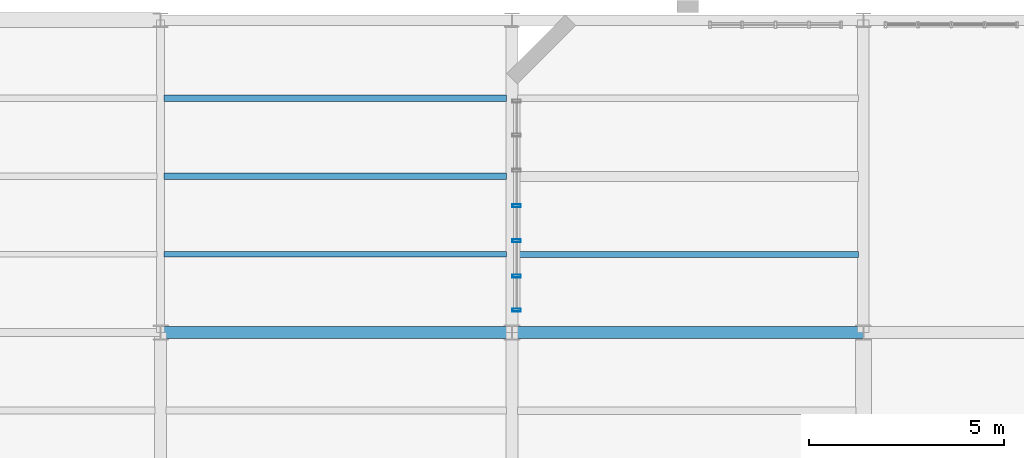
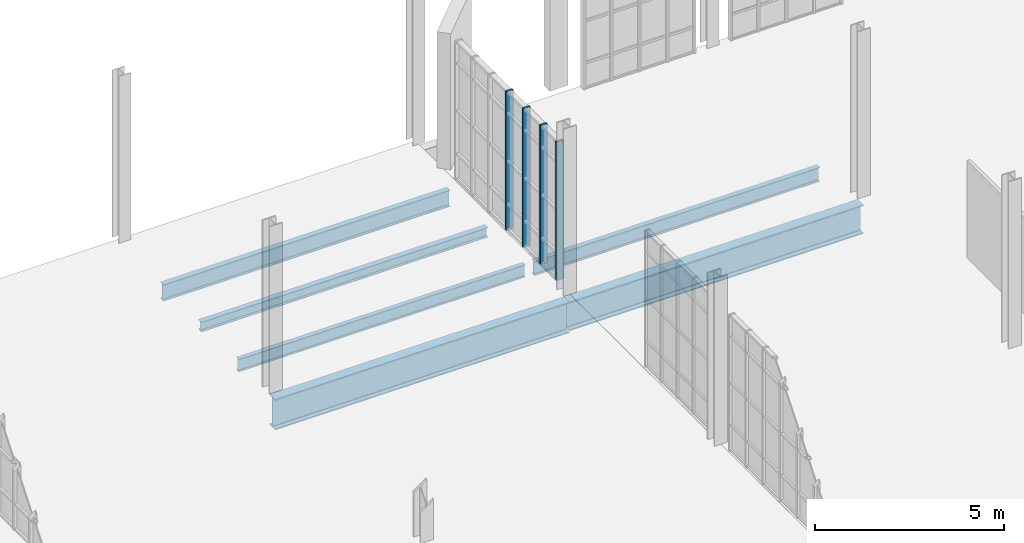
# One storey, part 96 of 189: 6 beams, 4 members, 1 element without a shape of its own.
"""IFC4 building model written with IfcOpenShell, lengths in metres."""

from ifc_helpers import new_model, si_unit, direction, frame, origin, origin_2d, place, context, subcontext, project, spatial, hollow_rectangle, i_section, extrude, material, layer, layer_set, material_profile, profile_set, type_object, element, aggregate, save


model = new_model("IFC4")

# Units and contexts
model_context = context("Model", 3, precision=1e-05, world=origin(), true_north=direction((0.0, 1.0)))
body_context = subcontext(model_context, "Body", "Model", "MODEL_VIEW")
ifc_project = project(units=[si_unit("LENGTHUNIT", "METRE"), si_unit("AREAUNIT", "SQUARE_METRE"), si_unit("VOLUMEUNIT", "CUBIC_METRE"), si_unit("PLANEANGLEUNIT", "RADIAN"), si_unit("MASSUNIT", "GRAM", prefix="KILO"), si_unit("THERMODYNAMICTEMPERATUREUNIT", "KELVIN"), si_unit("POWERUNIT", "WATT")], contexts=[model_context])

# Site, building, storey
site_placement = place(None, origin())
site = spatial("IfcSite", under=ifc_project, at=site_placement, CompositionType="ELEMENT")
building_placement = place(site_placement, origin())
building = spatial("IfcBuilding", under=site, at=building_placement, Name="Zelmaris Science Centre", CompositionType="ELEMENT")
storey_placement = place(building_placement, origin())
storey = spatial("IfcBuildingStorey", under=building, at=storey_placement, Name="L00", CompositionType="ELEMENT", Elevation=0.0)

# Curtain wall, members
ifc_material_1 = material(Name="Anodised architectural aluminium 6063-T6", Category="aluminium")
ifc_layer = layer(ifc_material_1, 0.199951171875, Name="Anodised architectural aluminium 6063-T6")
ifc_layer_set = layer_set([ifc_layer], Name="Anodised architectural aluminium 6063-T6")
curtain_wall_type = type_object("IfcCurtainWallType", Name="Curtain Wall CW-02", PredefinedType="USERDEFINED", material=ifc_layer_set)
curtain_wall_placement = place(storey_placement, origin())
curtain_wall = element("IfcCurtainWall", 1, at=curtain_wall_placement, inside=storey, type_object=curtain_wall_type, Name="L00 Unitised curtain wall 82", ObjectType="GLAZED CURTAIN WALL", PredefinedType="USERDEFINED")
ifc_material_profile_1 = material_profile(ifc_material_1, hollow_rectangle(XDim=0.074951171875, YDim=0.219970703125, WallThickness=0.0048828125, at=origin_2d()), Name="ALU-MUL-75X220")
ifc_profile_set_1 = profile_set([ifc_material_profile_1], Name="Anodised architectural aluminium 6063-T6")
member_type = type_object("IfcMemberType", Name="ALU-MUL-75X220", PredefinedType="MULLION", material=ifc_profile_set_1)
member_1_placement = place(storey_placement, frame((90.1201171875, 80.573486328125, -0.014892578125), z_axis=(0.0, 0.0, 1.0), x_axis=(0.0, 1.0, 0.0)))
member_1 = element("IfcMember", 2, at=member_1_placement, type_object=member_type, Name="CW-02 mullion 1", PredefinedType="MULLION", context=body_context, shape_type="SweptSolid", body=[
    extrude(hollow_rectangle(XDim=0.074951171875, YDim=0.219970703125, WallThickness=0.0048828125, at=origin_2d()), origin(), (0.0, 0.0, 1.0), 4.48779296875),
])
member_2_placement = place(storey_placement, frame((90.1201171875, 81.443359375, -0.014892578125), z_axis=(0.0, 0.0, 1.0), x_axis=(0.0, 1.0, 0.0)))
member_2 = element("IfcMember", 3, at=member_2_placement, type_object=member_type, Name="CW-02 mullion 2", PredefinedType="MULLION", context=body_context, shape_type="SweptSolid", body=[
    extrude(hollow_rectangle(XDim=0.074951171875, YDim=0.219970703125, WallThickness=0.0048828125, at=origin_2d()), origin(), (0.0, 0.0, 1.0), 4.48779296875),
])
member_3_placement = place(storey_placement, frame((90.1201171875, 82.3466796875, -0.014892578125), z_axis=(0.0, 0.0, 1.0), x_axis=(0.0, 1.0, 0.0)))
member_3 = element("IfcMember", 4, at=member_3_placement, type_object=member_type, Name="CW-02 mullion 3", PredefinedType="MULLION", context=body_context, shape_type="SweptSolid", body=[
    extrude(hollow_rectangle(XDim=0.074951171875, YDim=0.219970703125, WallThickness=0.0048828125, at=origin_2d()), origin(), (0.0, 0.0, 1.0), 4.48779296875),
])
member_4_placement = place(storey_placement, frame((90.1201171875, 83.25, -0.014892578125), z_axis=(0.0, 0.0, 1.0), x_axis=(0.0, 1.0, 0.0)))
member_4 = element("IfcMember", 5, at=member_4_placement, type_object=member_type, Name="CW-02 mullion 4", PredefinedType="MULLION", context=body_context, shape_type="SweptSolid", body=[
    extrude(hollow_rectangle(XDim=0.074951171875, YDim=0.219970703125, WallThickness=0.0048828125, at=origin_2d()), origin(), (0.0, 0.0, 1.0), 4.48779296875),
])
aggregate(curtain_wall, [member_1, member_2, member_3, member_4])

# Beams
ifc_material_2 = material(Name="Steel ASTM A992 Grade 50", Category="steel")
ifc_material_profile_2 = material_profile(ifc_material_2, i_section(OverallWidth=0.300048828125, OverallDepth=0.990966796875, WebThickness=0.0166015625, FlangeThickness=0.030517578125, FilletRadius=0.02490234375, at=origin_2d()), Name="W40X183")
ifc_profile_set_2 = profile_set([ifc_material_profile_2], Name="Steel ASTM A992 Grade 50")
beam_type_1 = type_object("IfcBeamType", Name="Beam G-24 W40X183", PredefinedType="BEAM", material=ifc_profile_set_2)
beam_1_placement = place(storey_placement, frame((81.0, 80.0, -0.775390625), z_axis=(1.0, 0.0, 0.0), x_axis=(0.0, 1.0, 0.0)))
element("IfcBeam", 6, at=beam_1_placement, inside=storey, type_object=beam_type_1, Name="L00 East-west girder 168", PredefinedType="BEAM", context=body_context, shape_type="SweptSolid", body=[
    extrude(i_section(OverallWidth=0.300048828125, OverallDepth=0.990966796875, WebThickness=0.0166015625, FlangeThickness=0.030517578125, FilletRadius=0.02490234375, at=origin_2d()), origin(), (0.0, 0.0, 1.0), 9.0),
])
ifc_material_profile_3 = material_profile(ifc_material_2, i_section(OverallWidth=0.31005859375, OverallDepth=0.931884765625, WebThickness=0.02099609375, FlangeThickness=0.034423828125, FilletRadius=0.02392578125, at=origin_2d()), Name="W36X210")
ifc_profile_set_3 = profile_set([ifc_material_profile_3], Name="Steel ASTM A992 Grade 50")
beam_type_2 = type_object("IfcBeamType", Name="Beam G-25 W36X210", PredefinedType="BEAM", material=ifc_profile_set_3)
beam_2_placement = place(storey_placement, frame((90.0, 80.0, -0.74609375), z_axis=(1.0, 0.0, 0.0), x_axis=(0.0, 1.0, 0.0)))
element("IfcBeam", 7, at=beam_2_placement, inside=storey, type_object=beam_type_2, Name="L00 East-west girder 169", PredefinedType="BEAM", context=body_context, shape_type="SweptSolid", body=[
    extrude(i_section(OverallWidth=0.31005859375, OverallDepth=0.931884765625, WebThickness=0.02099609375, FlangeThickness=0.034423828125, FilletRadius=0.02392578125, at=origin_2d()), origin(), (0.0, 0.0, 1.0), 9.0),
])
ifc_material_profile_4 = material_profile(ifc_material_2, i_section(OverallWidth=0.16796875, OverallDepth=0.532958984375, WebThickness=0.01025390625, FlangeThickness=0.0166015625, FilletRadius=0.013916015625, at=origin_2d()), Name="W21X57")
ifc_profile_set_4 = profile_set([ifc_material_profile_4], Name="Steel ASTM A992 Grade 50")
beam_type_3 = type_object("IfcBeamType", Name="Beam J-01 W21X57", PredefinedType="JOIST", material=ifc_profile_set_4)
beam_3_placement = place(storey_placement, frame((81.090576171875, 86.0, -0.54638671875), z_axis=(1.0, 0.0, 0.0), x_axis=(0.0, 1.0, 0.0)))
element("IfcBeam", 8, at=beam_3_placement, inside=storey, type_object=beam_type_3, Name="L00 Composite floor joist 63", PredefinedType="JOIST", context=body_context, shape_type="SweptSolid", body=[
    extrude(i_section(OverallWidth=0.16796875, OverallDepth=0.532958984375, WebThickness=0.01025390625, FlangeThickness=0.0166015625, FilletRadius=0.013916015625, at=origin_2d()), origin(), (0.0, 0.0, 1.0), 8.77197265625),
])
ifc_material_profile_5 = material_profile(ifc_material_2, i_section(OverallWidth=0.152099609375, OverallDepth=0.455078125, WebThickness=0.008056640625, FlangeThickness=0.01318359375, FilletRadius=0.012939453125, at=origin_2d()), Name="W18X40")
ifc_profile_set_5 = profile_set([ifc_material_profile_5], Name="Steel ASTM A992 Grade 50")
beam_type_4 = type_object("IfcBeamType", Name="Beam J-05 W18X40", PredefinedType="JOIST", material=ifc_profile_set_5)
beam_4_placement = place(storey_placement, frame((90.137451171875, 82.0, -0.507568359375), z_axis=(1.0, 0.0, 0.0), x_axis=(0.0, 1.0, 0.0)))
element("IfcBeam", 9, at=beam_4_placement, inside=storey, type_object=beam_type_4, Name="L00 Composite floor joist 67", PredefinedType="JOIST", context=body_context, shape_type="SweptSolid", body=[
    extrude(i_section(OverallWidth=0.152099609375, OverallDepth=0.455078125, WebThickness=0.008056640625, FlangeThickness=0.01318359375, FilletRadius=0.012939453125, at=origin_2d()), origin(), (0.0, 0.0, 1.0), 8.7314453125),
])
ifc_material_profile_6 = material_profile(ifc_material_2, i_section(OverallWidth=0.139892578125, OverallDepth=0.404052734375, WebThickness=0.007080078125, FlangeThickness=0.01123046875, FilletRadius=0.011962890625, at=origin_2d()), Name="W16X31")
ifc_profile_set_6 = profile_set([ifc_material_profile_6], Name="Steel ASTM A992 Grade 50")
beam_type_5 = type_object("IfcBeamType", Name="Beam J-08 W16X31", PredefinedType="JOIST", material=ifc_profile_set_6)
beam_5_placement = place(storey_placement, frame((81.090576171875, 82.0, -0.48193359375), z_axis=(1.0, 0.0, 0.0), x_axis=(0.0, 1.0, 0.0)))
element("IfcBeam", 10, at=beam_5_placement, inside=storey, type_object=beam_type_5, Name="L00 Composite floor joist 61", PredefinedType="JOIST", context=body_context, shape_type="SweptSolid", body=[
    extrude(i_section(OverallWidth=0.139892578125, OverallDepth=0.404052734375, WebThickness=0.007080078125, FlangeThickness=0.01123046875, FilletRadius=0.011962890625, at=origin_2d()), origin(), (0.0, 0.0, 1.0), 8.77197265625),
])
ifc_material_profile_7 = material_profile(ifc_material_2, i_section(OverallWidth=0.1669921875, OverallDepth=0.318115234375, WebThickness=0.007568359375, FlangeThickness=0.01318359375, FilletRadius=0.011962890625, at=origin_2d()), Name="W12X35")
ifc_profile_set_7 = profile_set([ifc_material_profile_7], Name="Steel ASTM A992 Grade 50")
beam_type_6 = type_object("IfcBeamType", Name="Beam J-09 W12X35", PredefinedType="JOIST", material=ifc_profile_set_7)
beam_6_placement = place(storey_placement, frame((81.090576171875, 84.0, -0.43896484375), z_axis=(1.0, 0.0, 0.0), x_axis=(0.0, 1.0, 0.0)))
element("IfcBeam", 11, at=beam_6_placement, inside=storey, type_object=beam_type_6, Name="L00 Composite floor joist 62", PredefinedType="JOIST", context=body_context, shape_type="SweptSolid", body=[
    extrude(i_section(OverallWidth=0.1669921875, OverallDepth=0.318115234375, WebThickness=0.007568359375, FlangeThickness=0.01318359375, FilletRadius=0.011962890625, at=origin_2d()), origin(), (0.0, 0.0, 1.0), 8.77197265625),
])

save(model, "model.ifc")
